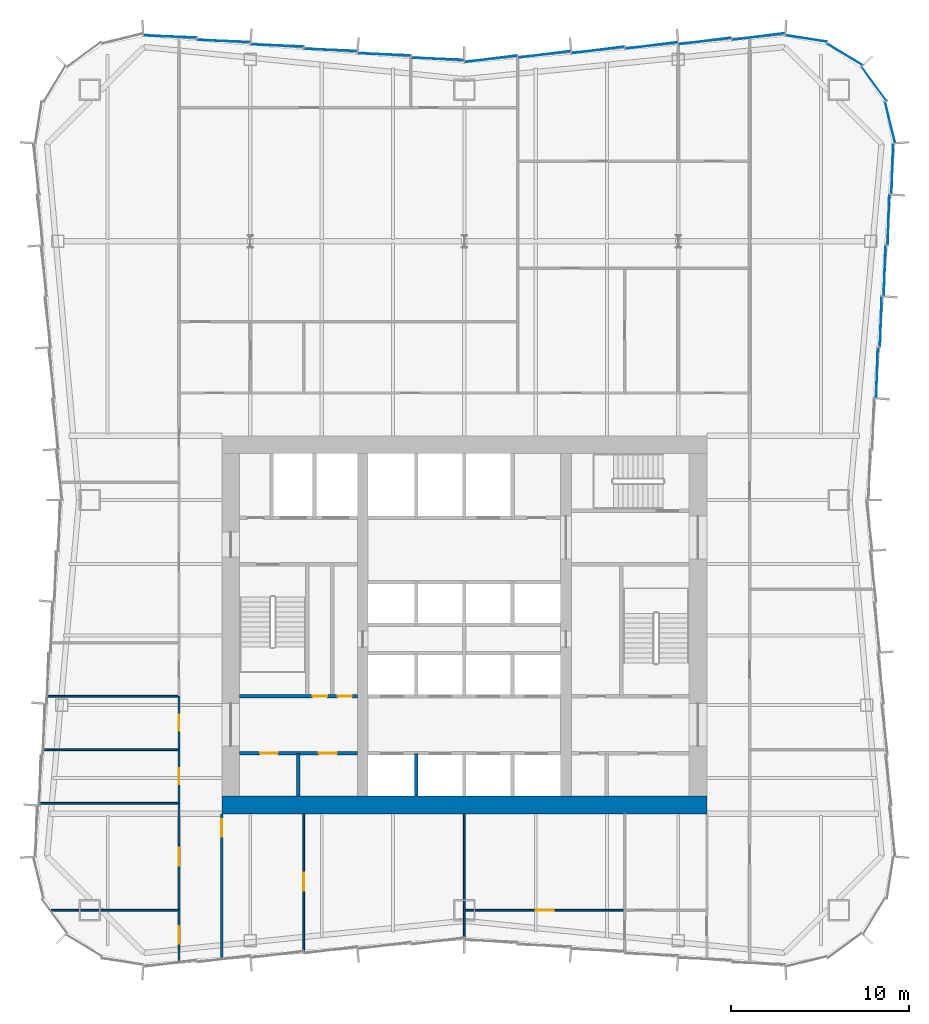
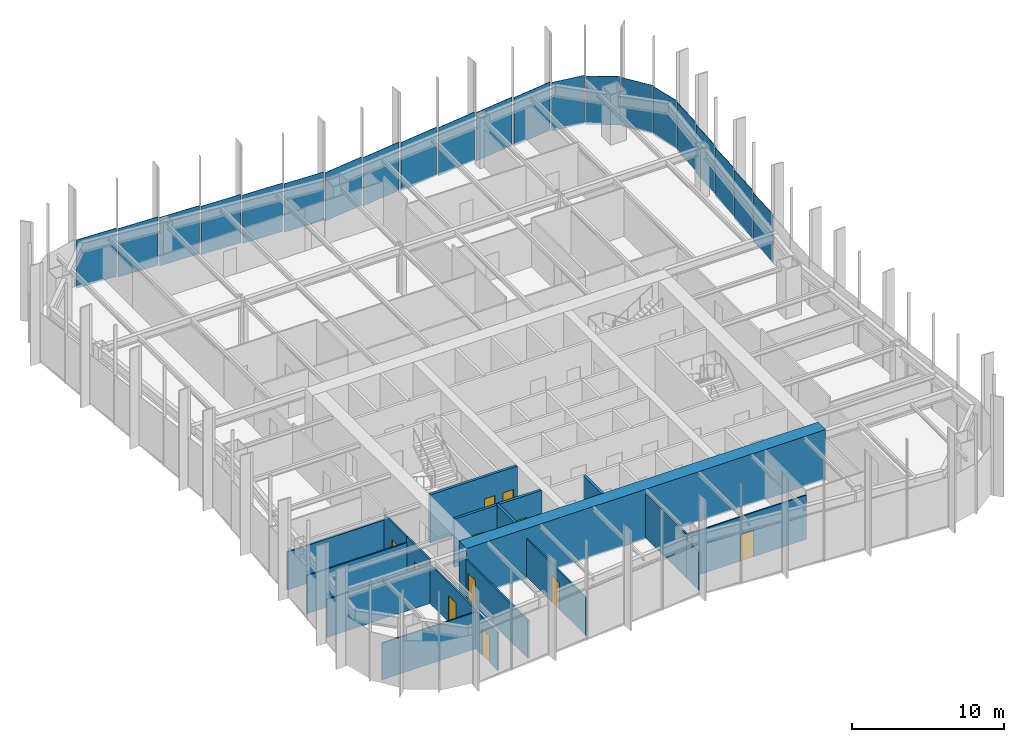
# One storey, part 9 of 14: 21 plates, 18 walls, 11 doors, 11 openings, 3 elements without a shape of their own.
"""IFC4 building model written with IfcOpenShell, lengths in metres."""

import ifcopenshell
import ifcopenshell.guid

model = None  # the IFC model being written
_history = None  # IfcOwnerHistory: only IFC2X3 demands one
_inside = {}  # id of a spatial element -> (the spatial element, [elements in it])
_under = {}  # id of a project, library or spatial element -> (it, [spatial elements below it])
_declared = {}  # id of a project -> (the project, [libraries it declares])
_typed = {}  # id of a type object -> (the type object, [elements of that type])
_made_of = {}  # id of a material, layer set ... -> (it, [elements and type objects made of it])


def new_model(schema):
    """Start an empty IFC model of exactly this schema.

    Asked for "IFC4X3", IfcOpenShell would pick the latest addendum, in which some entities
    have other attributes; the version numbers below select the first issue.
    IFC2X3 requires an IfcOwnerHistory on every rooted entity: one is made here for all.
    """
    global model, _history
    if schema == "IFC4X3":
        model = ifcopenshell.file(schema_version=(4, 3, 0, 0))
    else:
        model = ifcopenshell.file(schema=schema)
    _inside.clear()
    _under.clear()
    _declared.clear()
    _typed.clear()
    _made_of.clear()
    _history = None
    if model.schema == "IFC2X3":
        org = make("IfcOrganization", Name="unknown")
        user = make(
            "IfcPersonAndOrganization",
            ThePerson=make("IfcPerson", FamilyName="unknown"),
            TheOrganization=org,
        )
        app = make(
            "IfcApplication",
            ApplicationDeveloper=org,
            Version="unknown",
            ApplicationFullName="unknown",
            ApplicationIdentifier="unknown",
        )
        _history = make(
            "IfcOwnerHistory",
            OwningUser=user,
            OwningApplication=app,
            ChangeAction="ADDED",
            CreationDate=0,
        )
    return model


def make(cls, **values):
    """One entity of the class cls with the attributes given. An attribute that is None is left unset."""
    return model.create_entity(
        cls, **{name: value for name, value in values.items() if value is not None}
    )


def rooted(cls, **values):
    """An entity with a GlobalId (a new one), such as an element, a storey or a relation."""
    return make(cls, GlobalId=ifcopenshell.guid.new(), OwnerHistory=_history, **values)


def si_unit(unit_type, name, prefix=None):
    """IfcSIUnit, for example si_unit("LENGTHUNIT", "METRE", prefix="MILLI")."""
    return make("IfcSIUnit", UnitType=unit_type, Prefix=prefix, Name=name)


def assignment(units):
    """IfcUnitAssignment: the units of a project."""
    return None if units is None else make("IfcUnitAssignment", Units=units)


def point(xyz):
    """IfcCartesianPoint."""
    return None if xyz is None else make("IfcCartesianPoint", Coordinates=xyz)


def direction(xyz):
    """IfcDirection."""
    return None if xyz is None else make("IfcDirection", DirectionRatios=xyz)


def frame(location, z_axis=None, x_axis=None):
    """IfcAxis2Placement3D, a coordinate frame: its origin and axes. An axis left out is left unset."""
    return make(
        "IfcAxis2Placement3D",
        Location=point(location),
        Axis=direction(z_axis),
        RefDirection=direction(x_axis),
    )


def frame_2d(location, x_axis=None):
    """IfcAxis2Placement2D, a coordinate frame in the plane: its origin and x axis."""
    return make(
        "IfcAxis2Placement2D", Location=point(location), RefDirection=direction(x_axis)
    )


def origin():
    """The frame at (0, 0, 0) with its axes left unset."""
    return frame((0.0, 0.0, 0.0))


def origin_2d():
    """The frame at (0, 0) in the plane with its x axis left unset."""
    return frame_2d((0.0, 0.0))


def place(relative_to, where):
    """IfcLocalPlacement: puts the frame where relative to a parent placement (None: the world)."""
    return make(
        "IfcLocalPlacement", PlacementRelTo=relative_to, RelativePlacement=where
    )


def context(
    kind, dimensions, precision=None, world=None, true_north=None, identifier=None
):
    """IfcGeometricRepresentationContext, for example the 3D "Model" context."""
    return make(
        "IfcGeometricRepresentationContext",
        ContextIdentifier=identifier,
        ContextType=kind,
        CoordinateSpaceDimension=dimensions,
        Precision=precision,
        WorldCoordinateSystem=world,
        TrueNorth=true_north,
    )


def subcontext(parent, identifier, kind, view, scale=None):
    """IfcGeometricRepresentationSubContext, for example "Body" below "Model"."""
    return make(
        "IfcGeometricRepresentationSubContext",
        ContextIdentifier=identifier,
        ContextType=kind,
        ParentContext=parent,
        TargetScale=scale,
        TargetView=view,
    )


def project(units=None, contexts=None):
    """IfcProject with its units and contexts."""
    return rooted(
        "IfcProject",
        Name="project",
        RepresentationContexts=contexts,
        UnitsInContext=assignment(units),
    )


def spatial(cls, under=None, at=None, **own):
    """A site, building, storey or space (cls), placed at a placement, below another one or the project."""
    s = rooted(cls, ObjectPlacement=at, **own)
    if under is not None:
        _under.setdefault(under.id(), (under, []))[1].append(s)
    return s


def profile(cls, at=None, kind="AREA", **sizes):
    """A parametric profile (cls). Its sizes go by their IFC names, for example OverallWidth=200.0."""
    return make(cls, ProfileType=kind, Position=at, **sizes)


def rectangle(**sizes):
    """IfcRectangleProfileDef."""
    return profile("IfcRectangleProfileDef", **sizes)


def extrude(swept, where, along, depth):
    """IfcExtrudedAreaSolid: the profile swept, set in the frame where, extruded along a direction by depth."""
    return make(
        "IfcExtrudedAreaSolid",
        SweptArea=swept,
        Position=where,
        ExtrudedDirection=direction(along),
        Depth=depth,
    )


def shape(context_of_items, identifier, shape_type, items):
    """IfcShapeRepresentation: the items that make up one representation, for example the "Body"."""
    return make(
        "IfcShapeRepresentation",
        ContextOfItems=context_of_items,
        RepresentationIdentifier=identifier,
        RepresentationType=shape_type,
        Items=items,
    )


def material(Name=None, Category=None):
    """IfcMaterial."""
    return make("IfcMaterial", Name=Name, Category=Category)


def layer(
    of_material, thickness, ventilated=None, Name=None, Category=None, Priority=None
):
    """IfcMaterialLayer: one layer of a wall or slab, of a material (None: an air gap)."""
    return make(
        "IfcMaterialLayer",
        Material=of_material,
        LayerThickness=thickness,
        IsVentilated=ventilated,
        Name=Name,
        Category=Category,
        Priority=Priority,
    )


def layer_set(layers, Name=None):
    """IfcMaterialLayerSet."""
    return make("IfcMaterialLayerSet", MaterialLayers=layers, LayerSetName=Name)


def made_of(thing, what):
    """Note that an element or type object is made of a material, layer set ...; save() writes the relation."""
    if what is not None:
        _made_of.setdefault(what.id(), (what, []))[1].append(thing)
    return thing


def type_object(cls, material=None, **own):
    """A type object (cls), such as IfcWallType, which elements share."""
    return made_of(rooted(cls, **own), material)


def element(
    cls,
    number,
    at=None,
    inside=None,
    cuts=None,
    type_object=None,
    material=None,
    context=None,
    identifier="Body",
    shape_type=None,
    held_by="IfcProductDefinitionShape",
    body=None,
    shapes=None,
    **own,
):
    """One element of the class cls, such as IfcWall. Its Tag is "e" and its number.

    at: its placement. inside: the storey or other place that contains it. cuts: it is an
    opening in that element (IfcRelVoidsElement). A single representation is given by context,
    identifier, shape_type and body (its items); several are given by shapes. held_by: the class
    of the entity that holds the representations. save() writes the other relations.
    """
    e = rooted(cls, Tag="e%d" % number, ObjectPlacement=at, **own)
    if body is not None:
        shapes = [shape(context, identifier, shape_type, body)]
    if shapes is not None:
        e.Representation = make(held_by, Representations=shapes)
    if inside is not None:
        _inside.setdefault(inside.id(), (inside, []))[1].append(e)
    if cuts is not None:
        rooted(
            "IfcRelVoidsElement", RelatingBuildingElement=cuts, RelatedOpeningElement=e
        )
    if type_object is not None:
        _typed.setdefault(type_object.id(), (type_object, []))[1].append(e)
    return made_of(e, material)


def fill(opening, filler):
    """IfcRelFillsElement: the door or window that sits in an opening."""
    return rooted(
        "IfcRelFillsElement",
        RelatingOpeningElement=opening,
        RelatedBuildingElement=filler,
    )


def aggregate(whole, parts):
    """IfcRelAggregates: a whole, such as a stair, and the parts it consists of."""
    return rooted("IfcRelAggregates", RelatingObject=whole, RelatedObjects=parts)


def save(model, path):
    """Write the relations noted so far, then the file.

    IfcRelAggregates (storeys below a building ...), IfcRelContainedInSpatialStructure (elements
    in a storey), IfcRelDefinesByType, IfcRelAssociatesMaterial and IfcRelDeclares: one each for
    every whole, place, type object, material and project.
    """
    for whole, parts in _under.values():
        aggregate(whole, parts)
    for where, things in _inside.values():
        rooted(
            "IfcRelContainedInSpatialStructure",
            RelatedElements=things,
            RelatingStructure=where,
        )
    for kind, things in _typed.values():
        rooted("IfcRelDefinesByType", RelatedObjects=things, RelatingType=kind)
    for what, things in _made_of.values():
        rooted("IfcRelAssociatesMaterial", RelatedObjects=things, RelatingMaterial=what)
    for by, libraries in _declared.values():
        rooted("IfcRelDeclares", RelatingContext=by, RelatedDefinitions=libraries)
    model.write(path)


model = new_model("IFC4")

# Units and contexts
model_context = context("Model", 3, precision=1e-05, world=origin(), true_north=direction((0.0, 1.0)))
body_context = subcontext(model_context, "Body", "Model", "MODEL_VIEW")
ifc_project = project(units=[si_unit("LENGTHUNIT", "METRE"), si_unit("AREAUNIT", "SQUARE_METRE"), si_unit("VOLUMEUNIT", "CUBIC_METRE"), si_unit("PLANEANGLEUNIT", "RADIAN"), si_unit("MASSUNIT", "GRAM", prefix="KILO")], contexts=[model_context])

# Site, building, storey
site_placement = place(None, origin())
site = spatial("IfcSite", under=ifc_project, at=site_placement, CompositionType="ELEMENT")
building_placement = place(site_placement, origin())
building = spatial("IfcBuilding", under=site, at=building_placement, Name="Verdant Reach Tower", CompositionType="ELEMENT")
storey_placement = place(building_placement, frame((0.0, 0.0, 162.0)))
storey = spatial("IfcBuildingStorey", under=building, at=storey_placement, Name="L37", CompositionType="ELEMENT", Elevation=162.0)

# Curtain wall, plate
ifc_material_1 = material(Name="Anodised aluminium", Category="aluminium")
curtain_wall_type = type_object("IfcCurtainWallType", Name="EN-CW SYSTEM Z2", PredefinedType="NOTDEFINED", material=ifc_material_1)
curtain_wall_1_placement = place(storey_placement, origin())
curtain_wall_1 = element("IfcCurtainWall", 1, at=curtain_wall_1_placement, inside=storey, type_object=curtain_wall_type, Name="Curtain wall east, L37", PredefinedType="NOTDEFINED")
ifc_material_2 = material(Name="Tinted glass with champagne spandrel", Category="glass")
ifc_layer_1 = layer(ifc_material_2, 0.031982421875)
ifc_layer_set_1 = layer_set([ifc_layer_1], Name="EN-PANEL CHAMPAGNE")
plate_type_1 = type_object("IfcPlateType", Name="EN-PANEL CHAMPAGNE", PredefinedType="CURTAIN_PANEL", material=ifc_layer_set_1)
plate_1_placement = place(storey_placement, frame((23.141357421875, 42.135009765625, -0.22607421875), z_axis=(0.0, 0.0, 1.0), x_axis=(0.032965971753, 0.999456474643, 0.0)))
plate_1 = element("IfcPlate", 2, at=plate_1_placement, type_object=plate_type_1, Name="Glass panel east face part 2 3.1, L37", PredefinedType="CURTAIN_PANEL", context=body_context, shape_type="SweptSolid", body=[
    extrude(rectangle(XDim=2.80517578125, YDim=0.031982421875, at=origin_2d()), origin(), (0.0, 0.0, 1.0), 3.8759765625),
])

# Curtain wall, plates
curtain_wall_2_placement = place(storey_placement, origin())
curtain_wall_2 = element("IfcCurtainWall", 3, at=curtain_wall_2_placement, inside=storey, type_object=curtain_wall_type, Name="Curtain wall north-east corner, L37", PredefinedType="NOTDEFINED")
plate_2_placement = place(storey_placement, frame((23.87353515625, 56.171630859375, -0.22607421875), z_axis=(0.0, 0.0, 1.0), x_axis=(-0.236416170006, 0.971651889598, 0.0)))
plate_2 = element("IfcPlate", 4, at=plate_2_placement, type_object=plate_type_1, Name="Glass panel north-east corner 1.1, L37", PredefinedType="CURTAIN_PANEL", context=body_context, shape_type="SweptSolid", body=[
    extrude(rectangle(XDim=2.316162109375, YDim=0.031982421875, at=origin_2d()), origin(), (0.0, 0.0, 1.0), 3.8759765625),
])
plate_3_placement = place(storey_placement, frame((22.9794921875, 58.3271484375, -0.22607421875), z_axis=(0.0, 0.0, 1.0), x_axis=(-0.589926757843, 0.807456760688, 0.0)))
plate_3 = element("IfcPlate", 5, at=plate_3_placement, type_object=plate_type_1, Name="Glass panel north-east corner 2.1, L37", PredefinedType="CURTAIN_PANEL", context=body_context, shape_type="SweptSolid", body=[
    extrude(rectangle(XDim=2.322509765625, YDim=0.031982421875, at=origin_2d()), origin(), (0.0, 0.0, 1.0), 3.8759765625),
])

curtain_wall_3_placement = place(storey_placement, origin())
curtain_wall_3 = element("IfcCurtainWall", 6, at=curtain_wall_3_placement, inside=storey, type_object=curtain_wall_type, Name="Curtain wall north, L37", PredefinedType="NOTDEFINED")
plate_4_placement = place(storey_placement, frame((1.49560546875, 59.730712890625, -0.22607421875), z_axis=(0.0, 0.0, 1.0), x_axis=(-0.992178815188, -0.12482467181, 0.0)))
plate_4 = element("IfcPlate", 7, at=plate_4_placement, type_object=plate_type_1, Name="Glass panel north face part 1 6.1, L37", PredefinedType="CURTAIN_PANEL", context=body_context, shape_type="SweptSolid", body=[
    extrude(rectangle(XDim=2.941650390625, YDim=0.031982421875, at=origin_2d()), origin(), (0.0, 0.0, 1.0), 3.8759765625),
])
plate_5_placement = place(storey_placement, frame((-1.49560546875, 59.730712890625, -0.22607421875), z_axis=(0.0, 0.0, 1.0), x_axis=(-0.999144163765, 0.041363510662, 0.0)))
plate_5 = element("IfcPlate", 8, at=plate_5_placement, type_object=plate_type_1, Name="Glass panel north face part 2 1.1, L37", PredefinedType="CURTAIN_PANEL", context=body_context, shape_type="SweptSolid", body=[
    extrude(rectangle(XDim=2.941650390625, YDim=0.031982421875, at=origin_2d()), origin(), (0.0, 0.0, 1.0), 3.8759765625),
])
plate_6_placement = place(storey_placement, frame((-4.4912109375, 59.980712890625, -0.22607421875), z_axis=(0.0, 0.0, 1.0), x_axis=(-0.999149202059, 0.041241629766, 0.0)))
plate_6 = element("IfcPlate", 9, at=plate_6_placement, type_object=plate_type_1, Name="Glass panel north face part 2 2.1, L37", PredefinedType="CURTAIN_PANEL", context=body_context, shape_type="SweptSolid", body=[
    extrude(rectangle(XDim=2.950439453125, YDim=0.031982421875, at=origin_2d()), origin(), (0.0, 0.0, 1.0), 3.8759765625),
])

# Plate
ifc_material_3 = material(Name="Tinted glass with copper spandrel", Category="glass")
ifc_layer_2 = layer(ifc_material_3, 0.031982421875)
ifc_layer_set_2 = layer_set([ifc_layer_2], Name="EN-PANEL COPPER")
plate_type_2 = type_object("IfcPlateType", Name="EN-PANEL COPPER", PredefinedType="CURTAIN_PANEL", material=ifc_layer_set_2)
plate_7_placement = place(storey_placement, frame((23.355712890625, 44.9921875, -0.22607421875), z_axis=(0.0, 0.0, 1.0), x_axis=(0.032965971753, 0.999456474643, 0.0)))
plate_7 = element("IfcPlate", 10, at=plate_7_placement, type_object=plate_type_2, Name="Glass panel east face part 2 4.1, L37", PredefinedType="CURTAIN_PANEL", context=body_context, shape_type="SweptSolid", body=[
    extrude(rectangle(XDim=2.80517578125, YDim=0.031982421875, at=origin_2d()), origin(), (0.0, 0.0, 1.0), 3.8759765625),
])

plate_8_placement = place(storey_placement, frame((23.570068359375, 47.84912109375, -0.22607421875), z_axis=(0.0, 0.0, 1.0), x_axis=(0.032965971753, 0.999456474643, 0.0)))
plate_8 = element("IfcPlate", 11, at=plate_8_placement, type_object=plate_type_2, Name="Glass panel east face part 2 5.1, L37", PredefinedType="CURTAIN_PANEL", context=body_context, shape_type="SweptSolid", body=[
    extrude(rectangle(XDim=2.80517578125, YDim=0.031982421875, at=origin_2d()), origin(), (0.0, 0.0, 1.0), 3.8759765625),
])

plate_9_placement = place(storey_placement, frame((23.7841796875, 50.706298828125, -0.22607421875), z_axis=(0.0, 0.0, 1.0), x_axis=(0.032965971753, 0.999456474643, 0.0)))
plate_9 = element("IfcPlate", 12, at=plate_9_placement, type_object=plate_type_2, Name="Glass panel east face part 2 6.1, L37", PredefinedType="CURTAIN_PANEL", context=body_context, shape_type="SweptSolid", body=[
    extrude(rectangle(XDim=2.80517578125, YDim=0.031982421875, at=origin_2d()), origin(), (0.0, 0.0, 1.0), 3.8759765625),
])

plate_10_placement = place(storey_placement, frame((21.3271484375, 59.9794921875, -0.22607421875), z_axis=(0.0, 0.0, 1.0), x_axis=(-0.853988694998, 0.520291561353, 0.0)))
plate_10 = element("IfcPlate", 13, at=plate_10_placement, type_object=plate_type_2, Name="Glass panel north-east corner 3.1, L37", PredefinedType="CURTAIN_PANEL", context=body_context, shape_type="SweptSolid", body=[
    extrude(rectangle(XDim=2.322509765625, YDim=0.031982421875, at=origin_2d()), origin(), (0.0, 0.0, 1.0), 3.8759765625),
])

plate_11_placement = place(storey_placement, frame((19.17138671875, 60.87353515625, -0.22607421875), z_axis=(0.0, 0.0, 1.0), x_axis=(-0.988030887576, 0.154256167447, 0.0)))
plate_11 = element("IfcPlate", 14, at=plate_11_placement, type_object=plate_type_2, Name="Glass panel north-east corner 4.1, L37", PredefinedType="CURTAIN_PANEL", context=body_context, shape_type="SweptSolid", body=[
    extrude(rectangle(XDim=2.31640625, YDim=0.031982421875, at=origin_2d()), origin(), (0.0, 0.0, 1.0), 3.8759765625),
])

aggregate(curtain_wall_2, [plate_2, plate_3, plate_10, plate_11])

plate_12_placement = place(storey_placement, frame((16.49853515625, 60.980712890625, -0.22607421875), z_axis=(0.0, 0.0, 1.0), x_axis=(-0.992236570309, -0.124364739946, 0.0)))
plate_12 = element("IfcPlate", 15, at=plate_12_placement, type_object=plate_type_2, Name="Glass panel north face part 1 1.1, L37", PredefinedType="CURTAIN_PANEL", context=body_context, shape_type="SweptSolid", body=[
    extrude(rectangle(XDim=2.965087890625, YDim=0.031982421875, at=origin_2d()), origin(), (0.0, 0.0, 1.0), 3.8759765625),
])

plate_13_placement = place(storey_placement, frame((13.4912109375, 60.730712890625, -0.22607421875), z_axis=(0.0, 0.0, 1.0), x_axis=(-0.992194034542, -0.124703639961, 0.0)))
plate_13 = element("IfcPlate", 16, at=plate_13_placement, type_object=plate_type_2, Name="Glass panel north face part 1 2.1, L37", PredefinedType="CURTAIN_PANEL", context=body_context, shape_type="SweptSolid", body=[
    extrude(rectangle(XDim=2.950439453125, YDim=0.031982421875, at=origin_2d()), origin(), (0.0, 0.0, 1.0), 3.8759765625),
])

plate_14_placement = place(storey_placement, frame((10.4912109375, 60.480712890625, -0.22607421875), z_axis=(0.0, 0.0, 1.0), x_axis=(-0.992194034542, -0.124703639961, 0.0)))
plate_14 = element("IfcPlate", 17, at=plate_14_placement, type_object=plate_type_2, Name="Glass panel north face part 1 3.1, L37", PredefinedType="CURTAIN_PANEL", context=body_context, shape_type="SweptSolid", body=[
    extrude(rectangle(XDim=2.950439453125, YDim=0.031982421875, at=origin_2d()), origin(), (0.0, 0.0, 1.0), 3.8759765625),
])

plate_15_placement = place(storey_placement, frame((-7.4912109375, 60.230712890625, -0.22607421875), z_axis=(0.0, 0.0, 1.0), x_axis=(-0.999149202059, 0.041241629766, 0.0)))
plate_15 = element("IfcPlate", 18, at=plate_15_placement, type_object=plate_type_2, Name="Glass panel north face part 2 3.1, L37", PredefinedType="CURTAIN_PANEL", context=body_context, shape_type="SweptSolid", body=[
    extrude(rectangle(XDim=2.950439453125, YDim=0.031982421875, at=origin_2d()), origin(), (0.0, 0.0, 1.0), 3.8759765625),
])

plate_16_placement = place(storey_placement, frame((-10.4912109375, 60.480712890625, -0.22607421875), z_axis=(0.0, 0.0, 1.0), x_axis=(-0.999149202059, 0.041241629766, 0.0)))
plate_16 = element("IfcPlate", 19, at=plate_16_placement, type_object=plate_type_2, Name="Glass panel north face part 2 4.1, L37", PredefinedType="CURTAIN_PANEL", context=body_context, shape_type="SweptSolid", body=[
    extrude(rectangle(XDim=2.950439453125, YDim=0.031982421875, at=origin_2d()), origin(), (0.0, 0.0, 1.0), 3.8759765625),
])

ifc_material_4 = material(Name="Tinted glass with dark bronze spandrel", Category="glass")
ifc_layer_3 = layer(ifc_material_4, 0.031982421875)
ifc_layer_set_3 = layer_set([ifc_layer_3], Name="EN-PANEL DARK")
plate_type_3 = type_object("IfcPlateType", Name="EN-PANEL DARK", PredefinedType="CURTAIN_PANEL", material=ifc_layer_set_3)
plate_17_placement = place(storey_placement, frame((23.99853515625, 53.57080078125, -0.22607421875), z_axis=(0.0, 0.0, 1.0), x_axis=(0.032628234484, 0.99946755741, 0.0)))
plate_17 = element("IfcPlate", 20, at=plate_17_placement, type_object=plate_type_3, Name="Glass panel east face part 2 7.1, L37", PredefinedType="CURTAIN_PANEL", context=body_context, shape_type="SweptSolid", body=[
    extrude(rectangle(XDim=2.819580078125, YDim=0.031982421875, at=origin_2d()), origin(), (0.0, 0.0, 1.0), 3.8759765625),
])

aggregate(curtain_wall_1, [plate_1, plate_7, plate_8, plate_9, plate_17])

plate_18_placement = place(storey_placement, frame((7.4912109375, 60.230712890625, -0.22607421875), z_axis=(0.0, 0.0, 1.0), x_axis=(-0.992194034542, -0.124703639961, 0.0)))
plate_18 = element("IfcPlate", 21, at=plate_18_placement, type_object=plate_type_3, Name="Glass panel north face part 1 4.1, L37", PredefinedType="CURTAIN_PANEL", context=body_context, shape_type="SweptSolid", body=[
    extrude(rectangle(XDim=2.950439453125, YDim=0.031982421875, at=origin_2d()), origin(), (0.0, 0.0, 1.0), 3.8759765625),
])

plate_19_placement = place(storey_placement, frame((4.4912109375, 59.980712890625, -0.22607421875), z_axis=(0.0, 0.0, 1.0), x_axis=(-0.992194034542, -0.124703639961, 0.0)))
plate_19 = element("IfcPlate", 22, at=plate_19_placement, type_object=plate_type_3, Name="Glass panel north face part 1 5.1, L37", PredefinedType="CURTAIN_PANEL", context=body_context, shape_type="SweptSolid", body=[
    extrude(rectangle(XDim=2.950439453125, YDim=0.031982421875, at=origin_2d()), origin(), (0.0, 0.0, 1.0), 3.8759765625),
])

plate_20_placement = place(storey_placement, frame((-13.4912109375, 60.730712890625, -0.22607421875), z_axis=(0.0, 0.0, 1.0), x_axis=(-0.999149202059, 0.041241629766, 0.0)))
plate_20 = element("IfcPlate", 23, at=plate_20_placement, type_object=plate_type_3, Name="Glass panel north face part 2 5.1, L37", PredefinedType="CURTAIN_PANEL", context=body_context, shape_type="SweptSolid", body=[
    extrude(rectangle(XDim=2.950439453125, YDim=0.031982421875, at=origin_2d()), origin(), (0.0, 0.0, 1.0), 3.8759765625),
])

plate_21_placement = place(storey_placement, frame((-16.49853515625, 60.980712890625, -0.22607421875), z_axis=(0.0, 0.0, 1.0), x_axis=(-0.999163230224, 0.040900359019, 0.0)))
plate_21 = element("IfcPlate", 24, at=plate_21_placement, type_object=plate_type_3, Name="Glass panel north face part 2 6.1, L37", PredefinedType="CURTAIN_PANEL", context=body_context, shape_type="SweptSolid", body=[
    extrude(rectangle(XDim=2.965087890625, YDim=0.031982421875, at=origin_2d()), origin(), (0.0, 0.0, 1.0), 3.8759765625),
])

aggregate(curtain_wall_3, [plate_12, plate_13, plate_14, plate_18, plate_19, plate_4, plate_5, plate_6, plate_15, plate_16, plate_20, plate_21])

# Wall, openings, doors
ifc_material_5 = material(Name="Gypsum board on steel studs", Category="steel")
ifc_layer_4 = layer(ifc_material_5, 0.199951171875)
ifc_layer_set_4 = layer_set([ifc_layer_4], Name="CO-WALL-ROOM")
wall_type_1 = type_object("IfcWallType", Name="CO-WALL-ROOM", PredefinedType="PARTITIONING", material=ifc_layer_set_4)
wall_1_placement = place(storey_placement, frame((-12.60009765625, 20.800048828125, 0.0), z_axis=(0.0, 0.0, 1.0), x_axis=(1.0, 0.0, 0.0)))
wall_1 = element("IfcWall", 25, at=wall_1_placement, inside=storey, type_object=wall_type_1, Name="Core partition, L37", PredefinedType="PARTITIONING", context=body_context, shape_type="SweptSolid", body=[
    extrude(rectangle(XDim=6.60009765625, YDim=0.199951171875, at=frame_2d((3.300048828125, 0.0))), origin(), (0.0, 0.0, 1.0), 3.8701171875),
])
opening_1_placement = place(wall_1_placement, frame((1.14990234375, 0.0, 0.0)))
opening_1 = element("IfcOpeningElement", 26, at=opening_1_placement, cuts=wall_1, Name="Opening CD", PredefinedType="OPENING", context=body_context, shape_type="SweptSolid", body=[
    extrude(rectangle(XDim=1.0, YDim=2.10009765625, at=frame_2d((0.5, 1.050048828125))), frame((0.0, 0.10986328125, 0.0), z_axis=(0.0, -1.0, 0.0), x_axis=(1.0, 0.0, 0.0)), (0.0, 0.0, 1.0), 0.219970703125),
])
opening_2_placement = place(wall_1_placement, frame((4.449951171875, 0.0, 0.0)))
opening_2 = element("IfcOpeningElement", 27, at=opening_2_placement, cuts=wall_1, Name="Opening CD", PredefinedType="OPENING", context=body_context, shape_type="SweptSolid", body=[
    extrude(rectangle(XDim=1.0, YDim=2.10009765625, at=frame_2d((0.5, 1.050048828125))), frame((0.0, 0.10986328125, 0.0), z_axis=(0.0, -1.0, 0.0), x_axis=(1.0, 0.0, 0.0)), (0.0, 0.0, 1.0), 0.219970703125),
])
ifc_material_6 = material(Name="Timber", Category="wood")
door_type_1 = type_object("IfcDoorType", Name="CO-DOOR-ROOM", OperationType="NOTDEFINED", PredefinedType="DOOR", material=ifc_material_6)
door_1_placement = place(opening_1_placement, origin())
door_1 = element("IfcDoor", 28, at=door_1_placement, inside=storey, type_object=door_type_1, Name="Core room door, L37", OperationType="SINGLE_SWING_LEFT", OverallHeight=2.10009765625, OverallWidth=1.0, PredefinedType="DOOR", context=body_context, shape_type="SweptSolid", body=[
    extrude(rectangle(XDim=1.0, YDim=2.10009765625, at=frame_2d((0.5, 1.050048828125))), frame((0.0, 0.02490234375, 0.0), z_axis=(0.0, -1.0, 0.0), x_axis=(1.0, 0.0, 0.0)), (0.0, 0.0, 1.0), 0.050048828125),
])
fill(opening_1, door_1)
door_2_placement = place(opening_2_placement, origin())
door_2 = element("IfcDoor", 29, at=door_2_placement, inside=storey, type_object=door_type_1, Name="Core room door, L37", OperationType="SINGLE_SWING_LEFT", OverallHeight=2.10009765625, OverallWidth=1.0, PredefinedType="DOOR", context=body_context, shape_type="SweptSolid", body=[
    extrude(rectangle(XDim=1.0, YDim=2.10009765625, at=frame_2d((0.5, 1.050048828125))), frame((0.0, 0.02490234375, 0.0), z_axis=(0.0, -1.0, 0.0), x_axis=(1.0, 0.0, 0.0)), (0.0, 0.0, 1.0), 0.050048828125),
])
fill(opening_2, door_2)

# Walls
wall_2_placement = place(storey_placement, frame((-9.300048828125, 18.39990234375, 0.0), z_axis=(0.0, 0.0, 1.0), x_axis=(0.0, 1.0, 0.0)))
element("IfcWall", 30, at=wall_2_placement, inside=storey, type_object=wall_type_1, Name="Core partition, L37", PredefinedType="PARTITIONING", context=body_context, shape_type="SweptSolid", body=[
    extrude(rectangle(XDim=2.400146484375, YDim=0.199951171875, at=frame_2d((1.2001953125, 0.0))), origin(), (0.0, 0.0, 1.0), 3.8701171875),
])
ifc_material_7 = material(Name="Concrete C40/50", Category="concrete")
ifc_layer_5 = layer(ifc_material_7, 0.199951171875)
ifc_layer_set_5 = layer_set([ifc_layer_5], Name="CO-WALL-SHAFT")
wall_type_2 = type_object("IfcWallType", Name="CO-WALL-SHAFT", PredefinedType="PARTITIONING", material=ifc_layer_set_5)
wall_3_placement = place(storey_placement, frame((-2.699951171875, 18.39990234375, 0.0), z_axis=(0.0, 0.0, 1.0), x_axis=(0.0, 1.0, 0.0)))
element("IfcWall", 31, at=wall_3_placement, inside=storey, type_object=wall_type_2, Name="Lift shaft wall, L37", PredefinedType="PARTITIONING", context=body_context, shape_type="SweptSolid", body=[
    extrude(rectangle(XDim=2.400146484375, YDim=0.199951171875, at=frame_2d((1.2001953125, 0.0))), origin(), (0.0, 0.0, 1.0), 3.8701171875),
])

# Wall, openings, doors
ifc_layer_6 = layer(ifc_material_7, 0.199951171875)
ifc_layer_set_6 = layer_set([ifc_layer_6], Name="CO-WALL-STAIR")
wall_type_3 = type_object("IfcWallType", Name="CO-WALL-STAIR", PredefinedType="PARTITIONING", material=ifc_layer_set_6)
wall_4_placement = place(storey_placement, frame((-12.60009765625, 24.0, 0.0), z_axis=(0.0, 0.0, 1.0), x_axis=(1.0, 0.0, 0.0)))
wall_4 = element("IfcWall", 32, at=wall_4_placement, inside=storey, type_object=wall_type_3, Name="Stair enclosure wall, L37", PredefinedType="PARTITIONING", context=body_context, shape_type="SweptSolid", body=[
    extrude(rectangle(XDim=6.60009765625, YDim=0.199951171875, at=frame_2d((3.300048828125, 0.0))), origin(), (0.0, 0.0, 1.0), 3.8701171875),
])
opening_3_placement = place(wall_4_placement, frame((4.10009765625, 0.0, 0.0)))
opening_3 = element("IfcOpeningElement", 33, at=opening_3_placement, cuts=wall_4, Name="Opening CDN", PredefinedType="OPENING", context=body_context, shape_type="SweptSolid", body=[
    extrude(rectangle(XDim=0.800048828125, YDim=2.10009765625, at=frame_2d((0.39990234375, 1.050048828125))), frame((0.0, 0.10986328125, 0.0), z_axis=(0.0, -1.0, 0.0), x_axis=(1.0, 0.0, 0.0)), (0.0, 0.0, 1.0), 0.219970703125),
])
opening_4_placement = place(wall_4_placement, frame((5.5, 0.0, 0.0)))
opening_4 = element("IfcOpeningElement", 34, at=opening_4_placement, cuts=wall_4, Name="Opening CDN", PredefinedType="OPENING", context=body_context, shape_type="SweptSolid", body=[
    extrude(rectangle(XDim=0.800048828125, YDim=2.10009765625, at=frame_2d((0.39990234375, 1.050048828125))), frame((0.0, 0.10986328125, 0.0), z_axis=(0.0, -1.0, 0.0), x_axis=(1.0, 0.0, 0.0)), (0.0, 0.0, 1.0), 0.219970703125),
])
door_type_2 = type_object("IfcDoorType", Name="CO-DOOR-ROOM-NARROW", OperationType="NOTDEFINED", PredefinedType="DOOR", material=ifc_material_6)
door_3_placement = place(opening_3_placement, origin())
door_3 = element("IfcDoor", 35, at=door_3_placement, inside=storey, type_object=door_type_2, Name="Core room door, L37", OperationType="SINGLE_SWING_LEFT", OverallHeight=2.10009765625, OverallWidth=0.800048828125, PredefinedType="DOOR", context=body_context, shape_type="SweptSolid", body=[
    extrude(rectangle(XDim=0.800048828125, YDim=2.10009765625, at=frame_2d((0.39990234375, 1.050048828125))), frame((0.0, 0.02490234375, 0.0), z_axis=(0.0, -1.0, 0.0), x_axis=(1.0, 0.0, 0.0)), (0.0, 0.0, 1.0), 0.050048828125),
])
fill(opening_3, door_3)
door_4_placement = place(opening_4_placement, origin())
door_4 = element("IfcDoor", 36, at=door_4_placement, inside=storey, type_object=door_type_2, Name="Core room door, L37", OperationType="SINGLE_SWING_RIGHT", OverallHeight=2.10009765625, OverallWidth=0.800048828125, PredefinedType="DOOR", context=body_context, shape_type="SweptSolid", body=[
    extrude(rectangle(XDim=0.800048828125, YDim=2.10009765625, at=frame_2d((0.39990234375, 1.050048828125))), frame((0.0, 0.02490234375, 0.0), z_axis=(0.0, -1.0, 0.0), x_axis=(1.0, 0.0, 0.0)), (0.0, 0.0, 1.0), 0.050048828125),
])
fill(opening_4, door_4)

# Walls
ifc_layer_7 = layer(ifc_material_5, 0.10009765625)
ifc_layer_set_7 = layer_set([ifc_layer_7], Name="FL-W1 Partition 100")
wall_type_4 = type_object("IfcWallType", Name="FL-W1 Partition 100", PredefinedType="PARTITIONING", material=ifc_layer_set_7)
wall_5_placement = place(storey_placement, frame((-16.0, 12.0, 0.0), z_axis=(0.0, 0.0, 1.0), x_axis=(-1.0, 0.0, 0.0)))
element("IfcWall", 37, at=wall_5_placement, inside=storey, type_object=wall_type_4, Name="Partition 37.20", PredefinedType="PARTITIONING", context=body_context, shape_type="SweptSolid", body=[
    extrude(rectangle(XDim=7.15283203125, YDim=0.10009765625, at=frame_2d((3.576416015625, 0.0))), origin(), (0.0, 0.0, 1.0), 2.929931640625),
])
wall_6_placement = place(storey_placement, frame((-16.0, 18.0, 0.0), z_axis=(0.0, 0.0, 1.0), x_axis=(-1.0, 0.0, 0.0)))
element("IfcWall", 38, at=wall_6_placement, inside=storey, type_object=wall_type_4, Name="Partition 37.21", PredefinedType="PARTITIONING", context=body_context, shape_type="SweptSolid", body=[
    extrude(rectangle(XDim=7.85498046875, YDim=0.10009765625, at=frame_2d((3.927490234375, 0.0))), origin(), (0.0, 0.0, 1.0), 3.0400390625),
])
wall_7_placement = place(storey_placement, frame((-16.0, 21.0, 0.0), z_axis=(0.0, 0.0, 1.0), x_axis=(-1.0, 0.0, 0.0)))
element("IfcWall", 39, at=wall_7_placement, inside=storey, type_object=wall_type_4, Name="Partition 37.22", PredefinedType="PARTITIONING", context=body_context, shape_type="SweptSolid", body=[
    extrude(rectangle(XDim=7.6298828125, YDim=0.10009765625, at=frame_2d((3.81494140625, 0.0))), origin(), (0.0, 0.0, 1.0), 3.0400390625),
])
wall_8_placement = place(storey_placement, frame((-16.0, 24.0, 0.0), z_axis=(0.0, 0.0, 1.0), x_axis=(-1.0, 0.0, 0.0)))
element("IfcWall", 40, at=wall_8_placement, inside=storey, type_object=wall_type_4, Name="Partition 37.23", PredefinedType="PARTITIONING", context=body_context, shape_type="SweptSolid", body=[
    extrude(rectangle(XDim=7.405029296875, YDim=0.10009765625, at=frame_2d((3.70263671875, 0.0))), origin(), (0.0, 0.0, 1.0), 3.0400390625),
])

# Wall, opening, door
wall_9_placement = place(storey_placement, frame((-9.0, 17.39990234375, 0.0), z_axis=(0.0, 0.0, 1.0), x_axis=(0.0, -1.0, 0.0)))
wall_9 = element("IfcWall", 41, at=wall_9_placement, inside=storey, type_object=wall_type_4, Name="Partition 37.34", PredefinedType="PARTITIONING", context=body_context, shape_type="SweptSolid", body=[
    extrude(rectangle(XDim=7.72998046875, YDim=0.10009765625, at=frame_2d((3.864990234375, 0.0))), origin(), (0.0, 0.0, 1.0), 3.0400390625),
])
opening_5_placement = place(wall_9_placement, frame((3.2998046875, 0.0, 0.0)))
opening_5 = element("IfcOpeningElement", 42, at=opening_5_placement, cuts=wall_9, Name="Opening D3", PredefinedType="OPENING", context=body_context, shape_type="SweptSolid", body=[
    extrude(rectangle(XDim=1.0, YDim=2.10009765625, at=frame_2d((0.5, 1.050048828125))), frame((0.0, 0.06005859375, 0.0), z_axis=(0.0, -1.0, 0.0), x_axis=(1.0, 0.0, 0.0)), (0.0, 0.0, 1.0), 0.1201171875),
])
ifc_material_8 = material(Name="Painted timber door leaf", Category="wood")
door_type_3 = type_object("IfcDoorType", Name="FL-D3 Door 1000x2100", OperationType="NOTDEFINED", PredefinedType="DOOR", material=ifc_material_8)
door_5_placement = place(opening_5_placement, origin())
door_5 = element("IfcDoor", 43, at=door_5_placement, inside=storey, type_object=door_type_3, Name="Door 37-017", OperationType="SINGLE_SWING_LEFT", OverallHeight=2.10009765625, OverallWidth=1.0, PredefinedType="DOOR", context=body_context, shape_type="SweptSolid", body=[
    extrude(rectangle(XDim=1.0, YDim=2.10009765625, at=frame_2d((0.5, 1.050048828125))), frame((0.0, 0.02490234375, 0.0), z_axis=(0.0, -1.0, 0.0), x_axis=(1.0, 0.0, 0.0)), (0.0, 0.0, 1.0), 0.050048828125),
])
fill(opening_5, door_5)

# Walls
wall_10_placement = place(storey_placement, frame((0.0, 10.419921875, 0.0), z_axis=(0.0, 0.0, 1.0), x_axis=(0.0, 1.0, 0.0)))
element("IfcWall", 44, at=wall_10_placement, inside=storey, type_object=wall_type_4, Name="Partition 37.35", PredefinedType="PARTITIONING", context=body_context, shape_type="SweptSolid", body=[
    extrude(rectangle(XDim=1.580078125, YDim=0.10009765625, at=frame_2d((0.7900390625, 0.0))), origin(), (0.0, 0.0, 1.0), 3.0400390625),
])
wall_11_placement = place(storey_placement, frame((0.0, 12.0, 0.0), z_axis=(0.0, 0.0, 1.0), x_axis=(0.0, 1.0, 0.0)))
element("IfcWall", 45, at=wall_11_placement, inside=storey, type_object=wall_type_4, Name="Partition 37.36", PredefinedType="PARTITIONING", context=body_context, shape_type="SweptSolid", body=[
    extrude(rectangle(XDim=5.39990234375, YDim=0.10009765625, at=frame_2d((2.699951171875, 0.0))), origin(), (0.0, 0.0, 1.0), 3.5400390625),
])

# Wall, opening, door
wall_12_placement = place(storey_placement, frame((0.0, 12.0, 0.0), z_axis=(0.0, 0.0, 1.0), x_axis=(1.0, 0.0, 0.0)))
wall_12 = element("IfcWall", 46, at=wall_12_placement, inside=storey, type_object=wall_type_4, Name="Partition 37.40", PredefinedType="PARTITIONING", context=body_context, shape_type="SweptSolid", body=[
    extrude(rectangle(XDim=9.0, YDim=0.10009765625, at=frame_2d((4.5, 0.0))), origin(), (0.0, 0.0, 1.0), 3.5400390625),
])
opening_6_placement = place(wall_12_placement, frame((4.0, 0.0, 0.0)))
opening_6 = element("IfcOpeningElement", 47, at=opening_6_placement, cuts=wall_12, Name="Opening D3", PredefinedType="OPENING", context=body_context, shape_type="SweptSolid", body=[
    extrude(rectangle(XDim=1.0, YDim=2.10009765625, at=frame_2d((0.5, 1.050048828125))), frame((0.0, 0.06005859375, 0.0), z_axis=(0.0, -1.0, 0.0), x_axis=(1.0, 0.0, 0.0)), (0.0, 0.0, 1.0), 0.1201171875),
])
door_6_placement = place(opening_6_placement, origin())
door_6 = element("IfcDoor", 48, at=door_6_placement, inside=storey, type_object=door_type_3, Name="Door 37-020", OperationType="SINGLE_SWING_RIGHT", OverallHeight=2.10009765625, OverallWidth=1.0, PredefinedType="DOOR", context=body_context, shape_type="SweptSolid", body=[
    extrude(rectangle(XDim=1.0, YDim=2.10009765625, at=frame_2d((0.5, 1.050048828125))), frame((0.0, 0.02490234375, 0.0), z_axis=(0.0, -1.0, 0.0), x_axis=(1.0, 0.0, 0.0)), (0.0, 0.0, 1.0), 0.050048828125),
])
fill(opening_6, door_6)

ifc_material_9 = material(Name="Gypsum board on steel studs, fire rated", Category="steel")
ifc_layer_8 = layer(ifc_material_9, 0.125)
ifc_layer_set_8 = layer_set([ifc_layer_8], Name="FL-W2 Corridor wall 125")
wall_type_5 = type_object("IfcWallType", Name="FL-W2 Corridor wall 125", PredefinedType="PARTITIONING", material=ifc_layer_set_8)
wall_13_placement = place(storey_placement, frame((-16.0, 9.086669921875, 0.0), z_axis=(0.0, 0.0, 1.0), x_axis=(0.0, 1.0, 0.0)))
wall_13 = element("IfcWall", 49, at=wall_13_placement, inside=storey, type_object=wall_type_5, Name="Partition 37.01", PredefinedType="PARTITIONING", context=body_context, shape_type="SweptSolid", body=[
    extrude(rectangle(XDim=2.913330078125, YDim=0.125, at=frame_2d((1.45654296875, 0.0))), origin(), (0.0, 0.0, 1.0), 3.0400390625),
])
opening_7_placement = place(wall_13_placement, frame((1.021728515625, 0.0, 0.0)))
opening_7 = element("IfcOpeningElement", 50, at=opening_7_placement, cuts=wall_13, Name="Opening D2", PredefinedType="OPENING", context=body_context, shape_type="SweptSolid", body=[
    extrude(rectangle(XDim=1.0, YDim=2.10009765625, at=frame_2d((0.5, 1.050048828125))), frame((0.0, 0.072509765625, 0.0), z_axis=(0.0, -1.0, 0.0), x_axis=(1.0, 0.0, 0.0)), (0.0, 0.0, 1.0), 0.14501953125),
])
ifc_material_10 = material(Name="Timber door leaf, fire rated", Category="wood")
door_type_4 = type_object("IfcDoorType", Name="FL-D2 Entrance door 1000x2100 FD30", OperationType="NOTDEFINED", PredefinedType="DOOR", material=ifc_material_10)
door_7_placement = place(opening_7_placement, origin())
door_7 = element("IfcDoor", 51, at=door_7_placement, inside=storey, type_object=door_type_4, Name="Door 37-001", OperationType="SINGLE_SWING_RIGHT", OverallHeight=2.10009765625, OverallWidth=1.0, PredefinedType="DOOR", context=body_context, shape_type="SweptSolid", body=[
    extrude(rectangle(XDim=1.0, YDim=2.10009765625, at=frame_2d((0.5, 1.050048828125))), frame((0.0, 0.02490234375, 0.0), z_axis=(0.0, -1.0, 0.0), x_axis=(1.0, 0.0, 0.0)), (0.0, 0.0, 1.0), 0.050048828125),
])
fill(opening_7, door_7)

wall_14_placement = place(storey_placement, frame((-16.0, 12.0, 0.0), z_axis=(0.0, 0.0, 1.0), x_axis=(0.0, 1.0, 0.0)))
wall_14 = element("IfcWall", 52, at=wall_14_placement, inside=storey, type_object=wall_type_5, Name="Partition 37.02", PredefinedType="PARTITIONING", context=body_context, shape_type="SweptSolid", body=[
    extrude(rectangle(XDim=6.0, YDim=0.125, at=frame_2d((3.0, 0.0))), origin(), (0.0, 0.0, 1.0), 3.139892578125),
])
opening_8_placement = place(wall_14_placement, frame((2.5, 0.0, 0.0)))
opening_8 = element("IfcOpeningElement", 53, at=opening_8_placement, cuts=wall_14, Name="Opening D2", PredefinedType="OPENING", context=body_context, shape_type="SweptSolid", body=[
    extrude(rectangle(XDim=1.0, YDim=2.10009765625, at=frame_2d((0.5, 1.050048828125))), frame((0.0, 0.072509765625, 0.0), z_axis=(0.0, -1.0, 0.0), x_axis=(1.0, 0.0, 0.0)), (0.0, 0.0, 1.0), 0.14501953125),
])
door_8_placement = place(opening_8_placement, origin())
door_8 = element("IfcDoor", 54, at=door_8_placement, inside=storey, type_object=door_type_4, Name="Door 37-002", OperationType="SINGLE_SWING_RIGHT", OverallHeight=2.10009765625, OverallWidth=1.0, PredefinedType="DOOR", context=body_context, shape_type="SweptSolid", body=[
    extrude(rectangle(XDim=1.0, YDim=2.10009765625, at=frame_2d((0.5, 1.050048828125))), frame((0.0, 0.02490234375, 0.0), z_axis=(0.0, -1.0, 0.0), x_axis=(1.0, 0.0, 0.0)), (0.0, 0.0, 1.0), 0.050048828125),
])
fill(opening_8, door_8)

wall_15_placement = place(storey_placement, frame((-16.0, 18.0, 0.0), z_axis=(0.0, 0.0, 1.0), x_axis=(0.0, 1.0, 0.0)))
wall_15 = element("IfcWall", 55, at=wall_15_placement, inside=storey, type_object=wall_type_5, Name="Partition 37.03", PredefinedType="PARTITIONING", context=body_context, shape_type="SweptSolid", body=[
    extrude(rectangle(XDim=3.0, YDim=0.125, at=frame_2d((1.5, 0.0))), origin(), (0.0, 0.0, 1.0), 3.47998046875),
])
opening_9_placement = place(wall_15_placement, frame((1.050048828125, 0.0, 0.0)))
opening_9 = element("IfcOpeningElement", 56, at=opening_9_placement, cuts=wall_15, Name="Opening D1", PredefinedType="OPENING", context=body_context, shape_type="SweptSolid", body=[
    extrude(rectangle(XDim=0.89990234375, YDim=2.10009765625, at=frame_2d((0.449951171875, 1.050048828125))), frame((0.0, 0.072509765625, 0.0), z_axis=(0.0, -1.0, 0.0), x_axis=(1.0, 0.0, 0.0)), (0.0, 0.0, 1.0), 0.14501953125),
])
door_type_5 = type_object("IfcDoorType", Name="FL-D1 Door 900x2100", OperationType="NOTDEFINED", PredefinedType="DOOR", material=ifc_material_8)
door_9_placement = place(opening_9_placement, origin())
door_9 = element("IfcDoor", 57, at=door_9_placement, inside=storey, type_object=door_type_5, Name="Door 37-003", OperationType="SINGLE_SWING_LEFT", OverallHeight=2.10009765625, OverallWidth=0.89990234375, PredefinedType="DOOR", context=body_context, shape_type="SweptSolid", body=[
    extrude(rectangle(XDim=0.89990234375, YDim=2.10009765625, at=frame_2d((0.449951171875, 1.050048828125))), frame((0.0, 0.02490234375, 0.0), z_axis=(0.0, -1.0, 0.0), x_axis=(1.0, 0.0, 0.0)), (0.0, 0.0, 1.0), 0.050048828125),
])
fill(opening_9, door_9)

wall_16_placement = place(storey_placement, frame((-16.0, 21.0, 0.0), z_axis=(0.0, 0.0, 1.0), x_axis=(0.0, 1.0, 0.0)))
wall_16 = element("IfcWall", 58, at=wall_16_placement, inside=storey, type_object=wall_type_5, Name="Partition 37.04", PredefinedType="PARTITIONING", context=body_context, shape_type="SweptSolid", body=[
    extrude(rectangle(XDim=3.0, YDim=0.125, at=frame_2d((1.5, 0.0))), origin(), (0.0, 0.0, 1.0), 3.47998046875),
])
opening_10_placement = place(wall_16_placement, frame((1.050048828125, 0.0, 0.0)))
opening_10 = element("IfcOpeningElement", 59, at=opening_10_placement, cuts=wall_16, Name="Opening D1", PredefinedType="OPENING", context=body_context, shape_type="SweptSolid", body=[
    extrude(rectangle(XDim=0.89990234375, YDim=2.10009765625, at=frame_2d((0.449951171875, 1.050048828125))), frame((0.0, 0.072509765625, 0.0), z_axis=(0.0, -1.0, 0.0), x_axis=(1.0, 0.0, 0.0)), (0.0, 0.0, 1.0), 0.14501953125),
])
door_10_placement = place(opening_10_placement, origin())
door_10 = element("IfcDoor", 60, at=door_10_placement, inside=storey, type_object=door_type_5, Name="Door 37-004", OperationType="SINGLE_SWING_RIGHT", OverallHeight=2.10009765625, OverallWidth=0.89990234375, PredefinedType="DOOR", context=body_context, shape_type="SweptSolid", body=[
    extrude(rectangle(XDim=0.89990234375, YDim=2.10009765625, at=frame_2d((0.449951171875, 1.050048828125))), frame((0.0, 0.02490234375, 0.0), z_axis=(0.0, -1.0, 0.0), x_axis=(1.0, 0.0, 0.0)), (0.0, 0.0, 1.0), 0.050048828125),
])
fill(opening_10, door_10)

wall_17_placement = place(storey_placement, frame((-13.60009765625, 17.39990234375, 0.0), z_axis=(0.0, 0.0, 1.0), x_axis=(0.0, -1.0, 0.0)))
wall_17 = element("IfcWall", 61, at=wall_17_placement, inside=storey, type_object=wall_type_5, Name="Partition 37.11", PredefinedType="PARTITIONING", context=body_context, shape_type="SweptSolid", body=[
    extrude(rectangle(XDim=8.11328125, YDim=0.125, at=frame_2d((4.056640625, 0.0))), origin(), (0.0, 0.0, 1.0), 3.0400390625),
])
opening_11_placement = place(wall_17_placement, frame((0.29150390625, 0.0, 0.0)))
opening_11 = element("IfcOpeningElement", 62, at=opening_11_placement, cuts=wall_17, Name="Opening D2", PredefinedType="OPENING", context=body_context, shape_type="SweptSolid", body=[
    extrude(rectangle(XDim=1.0, YDim=2.10009765625, at=frame_2d((0.5, 1.050048828125))), frame((0.0, 0.072509765625, 0.0), z_axis=(0.0, -1.0, 0.0), x_axis=(1.0, 0.0, 0.0)), (0.0, 0.0, 1.0), 0.14501953125),
])
door_11_placement = place(opening_11_placement, origin())
door_11 = element("IfcDoor", 63, at=door_11_placement, inside=storey, type_object=door_type_4, Name="Door 37-011", OperationType="SINGLE_SWING_LEFT", OverallHeight=2.10009765625, OverallWidth=1.0, PredefinedType="DOOR", context=body_context, shape_type="SweptSolid", body=[
    extrude(rectangle(XDim=1.0, YDim=2.10009765625, at=frame_2d((0.5, 1.050048828125))), frame((0.0, 0.02490234375, 0.0), z_axis=(0.0, -1.0, 0.0), x_axis=(1.0, 0.0, 0.0)), (0.0, 0.0, 1.0), 0.050048828125),
])
fill(opening_11, door_11)

# Wall
ifc_material_11 = material(Name="Concrete C70/85", Category="concrete")
ifc_layer_9 = layer(ifc_material_11, 1.0)
ifc_layer_set_9 = layer_set([ifc_layer_9], Name="ST-CORE-WALL-1000")
wall_type_6 = type_object("IfcWallType", Name="ST-CORE-WALL-1000", PredefinedType="SHEAR", material=ifc_layer_set_9)
wall_18_placement = place(storey_placement, frame((-13.60009765625, 17.89990234375, -0.1298828125), z_axis=(0.0, 0.0, 1.0), x_axis=(1.0, 0.0, 0.0)))
element("IfcWall", 64, at=wall_18_placement, inside=storey, type_object=wall_type_6, Name="Core wall S, L37", PredefinedType="SHEAR", context=body_context, shape_type="SweptSolid", body=[
    extrude(rectangle(XDim=27.2001953125, YDim=1.0, at=frame_2d((13.60009765625, 0.0))), origin(), (0.0, 0.0, 1.0), 4.0),
])

save(model, "model.ifc")
